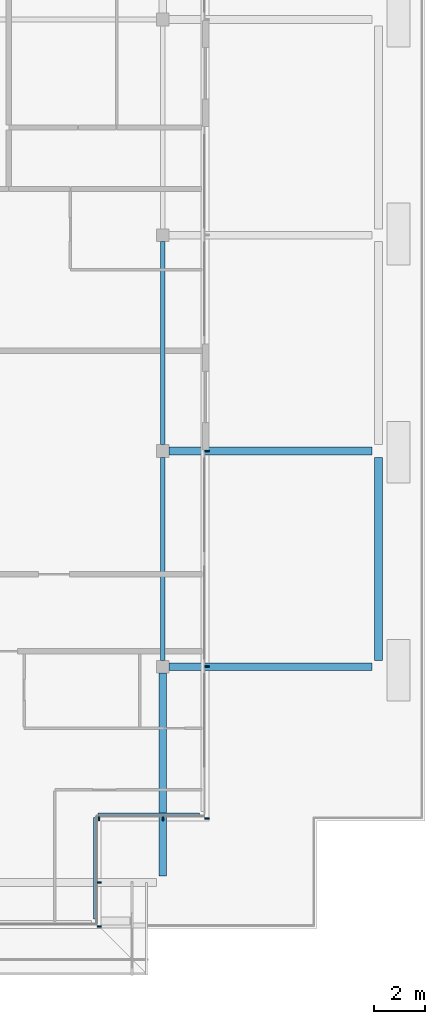
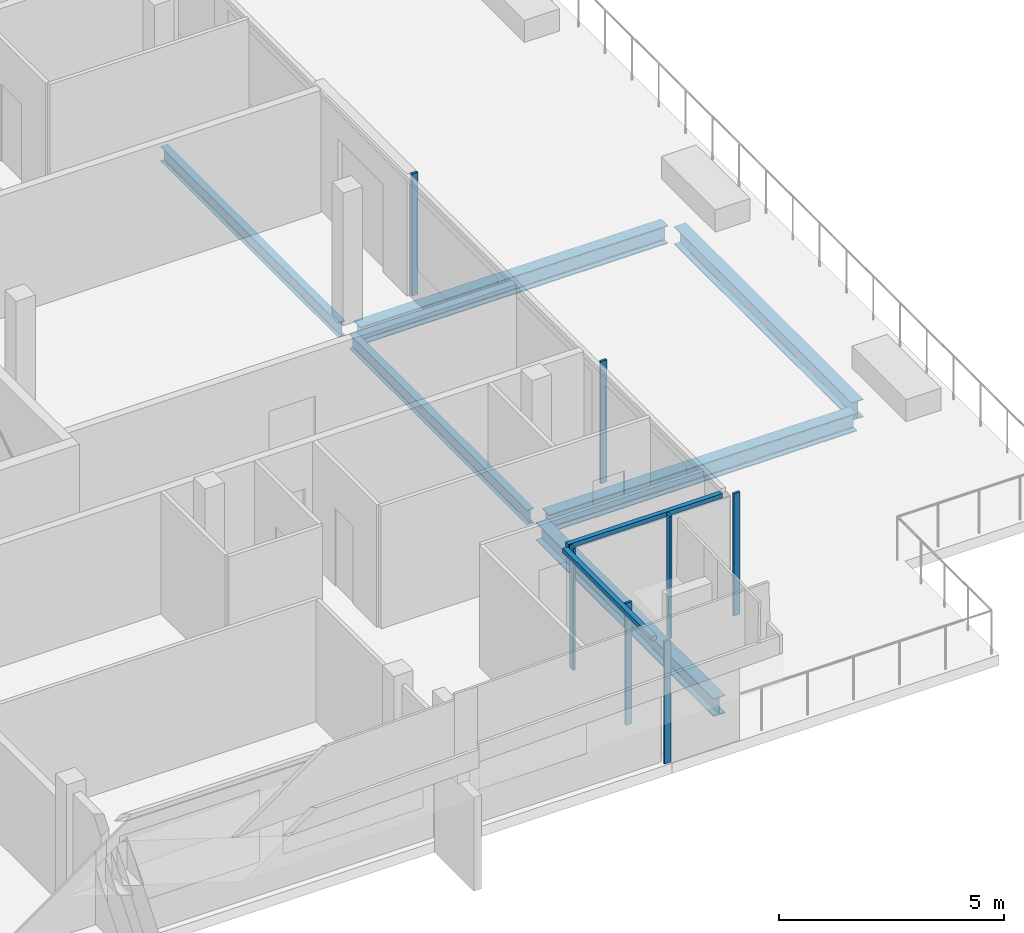
# One storey, part 12 of 29: 9 members, 6 beams, 3 elements without a shape of their own.
"""IFC4 building model written with IfcOpenShell, lengths in metres."""

import ifcopenshell
import ifcopenshell.guid

model = None  # the IFC model being written
_history = None  # IfcOwnerHistory: only IFC2X3 demands one
_inside = {}  # id of a spatial element -> (the spatial element, [elements in it])
_under = {}  # id of a project, library or spatial element -> (it, [spatial elements below it])
_declared = {}  # id of a project -> (the project, [libraries it declares])
_typed = {}  # id of a type object -> (the type object, [elements of that type])
_made_of = {}  # id of a material, layer set ... -> (it, [elements and type objects made of it])


def new_model(schema):
    """Start an empty IFC model of exactly this schema.

    Asked for "IFC4X3", IfcOpenShell would pick the latest addendum, in which some entities
    have other attributes; the version numbers below select the first issue.
    IFC2X3 requires an IfcOwnerHistory on every rooted entity: one is made here for all.
    """
    global model, _history
    if schema == "IFC4X3":
        model = ifcopenshell.file(schema_version=(4, 3, 0, 0))
    else:
        model = ifcopenshell.file(schema=schema)
    _inside.clear()
    _under.clear()
    _declared.clear()
    _typed.clear()
    _made_of.clear()
    _history = None
    if model.schema == "IFC2X3":
        org = make("IfcOrganization", Name="unknown")
        user = make(
            "IfcPersonAndOrganization",
            ThePerson=make("IfcPerson", FamilyName="unknown"),
            TheOrganization=org,
        )
        app = make(
            "IfcApplication",
            ApplicationDeveloper=org,
            Version="unknown",
            ApplicationFullName="unknown",
            ApplicationIdentifier="unknown",
        )
        _history = make(
            "IfcOwnerHistory",
            OwningUser=user,
            OwningApplication=app,
            ChangeAction="ADDED",
            CreationDate=0,
        )
    return model


def make(cls, **values):
    """One entity of the class cls with the attributes given. An attribute that is None is left unset."""
    return model.create_entity(
        cls, **{name: value for name, value in values.items() if value is not None}
    )


def rooted(cls, **values):
    """An entity with a GlobalId (a new one), such as an element, a storey or a relation."""
    return make(cls, GlobalId=ifcopenshell.guid.new(), OwnerHistory=_history, **values)


def si_unit(unit_type, name, prefix=None):
    """IfcSIUnit, for example si_unit("LENGTHUNIT", "METRE", prefix="MILLI")."""
    return make("IfcSIUnit", UnitType=unit_type, Prefix=prefix, Name=name)


def assignment(units):
    """IfcUnitAssignment: the units of a project."""
    return None if units is None else make("IfcUnitAssignment", Units=units)


def point(xyz):
    """IfcCartesianPoint."""
    return None if xyz is None else make("IfcCartesianPoint", Coordinates=xyz)


def direction(xyz):
    """IfcDirection."""
    return None if xyz is None else make("IfcDirection", DirectionRatios=xyz)


def frame(location, z_axis=None, x_axis=None):
    """IfcAxis2Placement3D, a coordinate frame: its origin and axes. An axis left out is left unset."""
    return make(
        "IfcAxis2Placement3D",
        Location=point(location),
        Axis=direction(z_axis),
        RefDirection=direction(x_axis),
    )


def frame_2d(location, x_axis=None):
    """IfcAxis2Placement2D, a coordinate frame in the plane: its origin and x axis."""
    return make(
        "IfcAxis2Placement2D", Location=point(location), RefDirection=direction(x_axis)
    )


def origin():
    """The frame at (0, 0, 0) with its axes left unset."""
    return frame((0.0, 0.0, 0.0))


def origin_2d():
    """The frame at (0, 0) in the plane with its x axis left unset."""
    return frame_2d((0.0, 0.0))


def place(relative_to, where):
    """IfcLocalPlacement: puts the frame where relative to a parent placement (None: the world)."""
    return make(
        "IfcLocalPlacement", PlacementRelTo=relative_to, RelativePlacement=where
    )


def context(
    kind, dimensions, precision=None, world=None, true_north=None, identifier=None
):
    """IfcGeometricRepresentationContext, for example the 3D "Model" context."""
    return make(
        "IfcGeometricRepresentationContext",
        ContextIdentifier=identifier,
        ContextType=kind,
        CoordinateSpaceDimension=dimensions,
        Precision=precision,
        WorldCoordinateSystem=world,
        TrueNorth=true_north,
    )


def subcontext(parent, identifier, kind, view, scale=None):
    """IfcGeometricRepresentationSubContext, for example "Body" below "Model"."""
    return make(
        "IfcGeometricRepresentationSubContext",
        ContextIdentifier=identifier,
        ContextType=kind,
        ParentContext=parent,
        TargetScale=scale,
        TargetView=view,
    )


def project(units=None, contexts=None):
    """IfcProject with its units and contexts."""
    return rooted(
        "IfcProject",
        Name="project",
        RepresentationContexts=contexts,
        UnitsInContext=assignment(units),
    )


def spatial(cls, under=None, at=None, **own):
    """A site, building, storey or space (cls), placed at a placement, below another one or the project."""
    s = rooted(cls, ObjectPlacement=at, **own)
    if under is not None:
        _under.setdefault(under.id(), (under, []))[1].append(s)
    return s


def profile(cls, at=None, kind="AREA", **sizes):
    """A parametric profile (cls). Its sizes go by their IFC names, for example OverallWidth=200.0."""
    return make(cls, ProfileType=kind, Position=at, **sizes)


def rectangle(**sizes):
    """IfcRectangleProfileDef."""
    return profile("IfcRectangleProfileDef", **sizes)


def i_section(**sizes):
    """IfcIShapeProfileDef."""
    return profile("IfcIShapeProfileDef", **sizes)


def extrude(swept, where, along, depth):
    """IfcExtrudedAreaSolid: the profile swept, set in the frame where, extruded along a direction by depth."""
    return make(
        "IfcExtrudedAreaSolid",
        SweptArea=swept,
        Position=where,
        ExtrudedDirection=direction(along),
        Depth=depth,
    )


def shape(context_of_items, identifier, shape_type, items):
    """IfcShapeRepresentation: the items that make up one representation, for example the "Body"."""
    return make(
        "IfcShapeRepresentation",
        ContextOfItems=context_of_items,
        RepresentationIdentifier=identifier,
        RepresentationType=shape_type,
        Items=items,
    )


def material(Name=None, Category=None):
    """IfcMaterial."""
    return make("IfcMaterial", Name=Name, Category=Category)


def material_profile(
    of_material, cross_section, Name=None, Category=None, Priority=None
):
    """IfcMaterialProfile: a cross section and its material."""
    return make(
        "IfcMaterialProfile",
        Name=Name,
        Material=of_material,
        Profile=cross_section,
        Priority=Priority,
        Category=Category,
    )


def profile_set(profiles, Name=None, composite=None):
    """IfcMaterialProfileSet."""
    return make(
        "IfcMaterialProfileSet",
        Name=Name,
        MaterialProfiles=profiles,
        CompositeProfile=composite,
    )


def made_of(thing, what):
    """Note that an element or type object is made of a material, layer set ...; save() writes the relation."""
    if what is not None:
        _made_of.setdefault(what.id(), (what, []))[1].append(thing)
    return thing


def type_object(cls, material=None, **own):
    """A type object (cls), such as IfcWallType, which elements share."""
    return made_of(rooted(cls, **own), material)


def element(
    cls,
    number,
    at=None,
    inside=None,
    cuts=None,
    type_object=None,
    material=None,
    context=None,
    identifier="Body",
    shape_type=None,
    held_by="IfcProductDefinitionShape",
    body=None,
    shapes=None,
    **own,
):
    """One element of the class cls, such as IfcWall. Its Tag is "e" and its number.

    at: its placement. inside: the storey or other place that contains it. cuts: it is an
    opening in that element (IfcRelVoidsElement). A single representation is given by context,
    identifier, shape_type and body (its items); several are given by shapes. held_by: the class
    of the entity that holds the representations. save() writes the other relations.
    """
    e = rooted(cls, Tag="e%d" % number, ObjectPlacement=at, **own)
    if body is not None:
        shapes = [shape(context, identifier, shape_type, body)]
    if shapes is not None:
        e.Representation = make(held_by, Representations=shapes)
    if inside is not None:
        _inside.setdefault(inside.id(), (inside, []))[1].append(e)
    if cuts is not None:
        rooted(
            "IfcRelVoidsElement", RelatingBuildingElement=cuts, RelatedOpeningElement=e
        )
    if type_object is not None:
        _typed.setdefault(type_object.id(), (type_object, []))[1].append(e)
    return made_of(e, material)


def aggregate(whole, parts):
    """IfcRelAggregates: a whole, such as a stair, and the parts it consists of."""
    return rooted("IfcRelAggregates", RelatingObject=whole, RelatedObjects=parts)


def save(model, path):
    """Write the relations noted so far, then the file.

    IfcRelAggregates (storeys below a building ...), IfcRelContainedInSpatialStructure (elements
    in a storey), IfcRelDefinesByType, IfcRelAssociatesMaterial and IfcRelDeclares: one each for
    every whole, place, type object, material and project.
    """
    for whole, parts in _under.values():
        aggregate(whole, parts)
    for where, things in _inside.values():
        rooted(
            "IfcRelContainedInSpatialStructure",
            RelatedElements=things,
            RelatingStructure=where,
        )
    for kind, things in _typed.values():
        rooted("IfcRelDefinesByType", RelatedObjects=things, RelatingType=kind)
    for what, things in _made_of.values():
        rooted("IfcRelAssociatesMaterial", RelatedObjects=things, RelatingMaterial=what)
    for by, libraries in _declared.values():
        rooted("IfcRelDeclares", RelatingContext=by, RelatedDefinitions=libraries)
    model.write(path)


model = new_model("IFC4")

# Units and contexts
model_context = context("Model", 3, precision=1e-05, world=origin(), true_north=direction((0.0, 1.0)))
body_context = subcontext(model_context, "Body", "Model", "MODEL_VIEW")
ifc_project = project(units=[si_unit("LENGTHUNIT", "METRE"), si_unit("AREAUNIT", "SQUARE_METRE"), si_unit("VOLUMEUNIT", "CUBIC_METRE"), si_unit("PLANEANGLEUNIT", "RADIAN"), si_unit("MASSUNIT", "GRAM", prefix="KILO")], contexts=[model_context])

# Site, building, storey
site_placement = place(None, origin())
site = spatial("IfcSite", under=ifc_project, at=site_placement, CompositionType="ELEMENT")
building_placement = place(site_placement, origin())
building = spatial("IfcBuilding", under=site, at=building_placement, Name="Saffron Gate Tower", CompositionType="ELEMENT")
storey_placement = place(building_placement, frame((0.0, 0.0, 270.75)))
storey = spatial("IfcBuildingStorey", under=building, at=storey_placement, Name="L65", CompositionType="ELEMENT", Elevation=270.75)

# Beams
ifc_material_1 = material(Name="Structural steel S355", Category="steel")
ifc_material_profile_1 = material_profile(ifc_material_1, i_section(OverallWidth=0.179931640625, OverallDepth=0.39990234375, WebThickness=0.008544921875, FlangeThickness=0.013427734375, FilletRadius=0.02099609375, at=origin_2d()))
ifc_profile_set_1 = profile_set([ifc_material_profile_1], Name="Structural steel S355")
beam_type_1 = type_object("IfcBeamType", Name="B5 IPE 400", PredefinedType="SPANDREL", material=ifc_profile_set_1)
beam_1_placement = place(storey_placement, frame((117.0, 40.449951171875, -0.47998046875), z_axis=(0.0, 1.0, 0.0), x_axis=(-1.0, 0.0, 0.0)))
element("IfcBeam", 1, at=beam_1_placement, inside=storey, type_object=beam_type_1, Name="B5 SPANDREL BEAM", PredefinedType="SPANDREL", context=body_context, shape_type="SweptSolid", body=[
    extrude(i_section(OverallWidth=0.179931640625, OverallDepth=0.39990234375, WebThickness=0.008544921875, FlangeThickness=0.013427734375, FilletRadius=0.02099609375, at=origin_2d()), origin(), (0.0, 0.0, 1.0), 7.900146484375),
])
beam_2_placement = place(storey_placement, frame((117.0, 48.85009765625, -0.47998046875), z_axis=(0.0, 1.0, 0.0), x_axis=(-1.0, 0.0, 0.0)))
element("IfcBeam", 2, at=beam_2_placement, inside=storey, type_object=beam_type_1, Name="B5 SPANDREL BEAM", PredefinedType="SPANDREL", context=body_context, shape_type="SweptSolid", body=[
    extrude(i_section(OverallWidth=0.179931640625, OverallDepth=0.39990234375, WebThickness=0.008544921875, FlangeThickness=0.013427734375, FilletRadius=0.02099609375, at=origin_2d()), origin(), (0.0, 0.0, 1.0), 7.89990234375),
])
ifc_material_profile_2 = material_profile(ifc_material_1, i_section(OverallWidth=0.300048828125, OverallDepth=0.489990234375, WebThickness=0.011962890625, FlangeThickness=0.02294921875, FilletRadius=0.027099609375, at=origin_2d()))
ifc_profile_set_2 = profile_set([ifc_material_profile_2], Name="Structural steel S355")
beam_type_2 = type_object("IfcBeamType", Name="B8 HEA 500", PredefinedType="BEAM", material=ifc_profile_set_2)
for number, where, z_axis, x_axis, name in (
    (3, (117.0, 32.050048828125, -0.52490234375), (0.0, 1.0, 0.0), (-1.0, 0.0, 0.0), "B8 TERRACE BEAM"),
    (4, (117.25, 40.199951171875, -0.52490234375), (1.0, 0.0, 0.0), (0.0, 1.0, 0.0), "B8 TERRACE BEAM"),
    (5, (117.25, 48.60009765625, -0.52490234375), (1.0, 0.0, 0.0), (0.0, 1.0, 0.0), "B8 TERRACE BEAM"),
):
    element("IfcBeam", number, at=place(storey_placement, frame(where, z_axis=z_axis, x_axis=x_axis)), inside=storey, type_object=beam_type_2, Name=name, PredefinedType="BEAM", context=body_context, shape_type="SweptSolid", body=[
        extrude(i_section(OverallWidth=0.300048828125, OverallDepth=0.489990234375, WebThickness=0.011962890625, FlangeThickness=0.02294921875, FilletRadius=0.027099609375, at=origin_2d()), origin(), (0.0, 0.0, 1.0), 7.89990234375),
    ])
beam_3_placement = place(storey_placement, frame((125.39990234375, 40.449951171875, -0.52490234375), z_axis=(0.0, 1.0, 0.0), x_axis=(-1.0, 0.0, 0.0)))
element("IfcBeam", 6, at=beam_3_placement, inside=storey, type_object=beam_type_2, Name="B8 TERRACE BEAM", PredefinedType="BEAM", context=body_context, shape_type="SweptSolid", body=[
    extrude(i_section(OverallWidth=0.300048828125, OverallDepth=0.489990234375, WebThickness=0.011962890625, FlangeThickness=0.02294921875, FilletRadius=0.027099609375, at=origin_2d()), origin(), (0.0, 0.0, 1.0), 7.900146484375),
])

# Curtain wall, members
ifc_material_2 = material(Name="Aluminium, bronze anodised", Category="aluminium")
curtain_wall_type_1 = type_object("IfcCurtainWallType", Name="CWS2 curtain wall side facades", PredefinedType="NOTDEFINED", material=ifc_material_2)
curtain_wall_1_placement = place(storey_placement, origin())
curtain_wall_1 = element("IfcCurtainWall", 7, at=curtain_wall_1_placement, inside=storey, type_object=curtain_wall_type_1, Name="CWS2 run 4", PredefinedType="NOTDEFINED")
ifc_material_profile_3 = material_profile(ifc_material_2, rectangle(XDim=0.159912109375, YDim=0.06005859375, at=origin_2d()))
ifc_profile_set_3 = profile_set([ifc_material_profile_3], Name="Aluminium, bronze anodised")
member_type_1 = type_object("IfcMemberType", Name="CWS2 mullion 60x160", PredefinedType="MULLION", material=ifc_profile_set_3)
member_1_placement = place(storey_placement, frame((118.719970703125, 34.280029296875, 0.0), z_axis=(0.0, 0.0, 1.0), x_axis=(-1.0, 0.0, 0.0)))
member_1 = element("IfcMember", 8, at=member_1_placement, type_object=member_type_1, Name="CWS2 mullion 1", PredefinedType="MULLION", context=body_context, shape_type="SweptSolid", body=[
    extrude(rectangle(XDim=0.159912109375, YDim=0.06005859375, at=origin_2d()), origin(), (0.0, 0.0, 1.0), 3.320068359375),
])
member_2_placement = place(storey_placement, frame((118.719970703125, 40.199951171875, 0.0), z_axis=(0.0, 0.0, 1.0), x_axis=(-1.0, 0.0, 0.0)))
member_2 = element("IfcMember", 9, at=member_2_placement, type_object=member_type_1, Name="CWS2 mullion 2", PredefinedType="MULLION", context=body_context, shape_type="SweptSolid", body=[
    extrude(rectangle(XDim=0.159912109375, YDim=0.06005859375, at=origin_2d()), origin(), (0.0, 0.0, 1.0), 3.320068359375),
])
member_3_placement = place(storey_placement, frame((118.719970703125, 48.60009765625, 0.0), z_axis=(0.0, 0.0, 1.0), x_axis=(-1.0, 0.0, 0.0)))
member_3 = element("IfcMember", 10, at=member_3_placement, type_object=member_type_1, Name="CWS2 mullion 3", PredefinedType="MULLION", context=body_context, shape_type="SweptSolid", body=[
    extrude(rectangle(XDim=0.159912109375, YDim=0.06005859375, at=origin_2d()), origin(), (0.0, 0.0, 1.0), 3.320068359375),
])
aggregate(curtain_wall_1, [member_1, member_2, member_3])

# Curtain wall, member
curtain_wall_type_2 = type_object("IfcCurtainWallType", Name="CWS4 curtain wall corner returns", PredefinedType="NOTDEFINED", material=ifc_material_2)
curtain_wall_2_placement = place(storey_placement, origin())
curtain_wall_2 = element("IfcCurtainWall", 11, at=curtain_wall_2_placement, inside=storey, type_object=curtain_wall_type_2, Name="CWS4 run 2", PredefinedType="NOTDEFINED")
ifc_material_profile_4 = material_profile(ifc_material_2, rectangle(XDim=0.1201171875, YDim=0.1201171875, at=origin_2d()))
ifc_profile_set_4 = profile_set([ifc_material_profile_4], Name="Aluminium, bronze anodised")
member_type_2 = type_object("IfcMemberType", Name="CWS4 head transom", PredefinedType="USERDEFINED", material=ifc_profile_set_4)
member_4_placement = place(storey_placement, frame((114.35205078125, 30.367919921875, 3.260009765625), z_axis=(0.0, 1.0, 0.0), x_axis=(-1.0, 0.0, 0.0)))
member_4 = element("IfcMember", 12, at=member_4_placement, type_object=member_type_2, Name="CWS4 head transom", ObjectType="TRANSOM", PredefinedType="USERDEFINED", context=body_context, shape_type="SweptSolid", body=[
    extrude(rectangle(XDim=0.1201171875, YDim=0.1201171875, at=origin_2d()), origin(), (0.0, 0.0, 1.0), 3.9599609375),
])

curtain_wall_3_placement = place(storey_placement, origin())
curtain_wall_3 = element("IfcCurtainWall", 13, at=curtain_wall_3_placement, inside=storey, type_object=curtain_wall_type_2, Name="CWS4 run 3", PredefinedType="NOTDEFINED")
member_5_placement = place(storey_placement, frame((114.471923828125, 34.447998046875, 3.260009765625), z_axis=(1.0, 0.0, 0.0), x_axis=(0.0, 1.0, 0.0)))
member_5 = element("IfcMember", 14, at=member_5_placement, type_object=member_type_2, Name="CWS4 head transom", ObjectType="TRANSOM", PredefinedType="USERDEFINED", context=body_context, shape_type="SweptSolid", body=[
    extrude(rectangle(XDim=0.1201171875, YDim=0.1201171875, at=origin_2d()), origin(), (0.0, 0.0, 1.0), 3.9599609375),
])

# Member
ifc_material_profile_5 = material_profile(ifc_material_2, rectangle(XDim=0.159912109375, YDim=0.06005859375, at=origin_2d()))
ifc_profile_set_5 = profile_set([ifc_material_profile_5], Name="Aluminium, bronze anodised")
member_type_3 = type_object("IfcMemberType", Name="CWS4 mullion 60x160", PredefinedType="MULLION", material=ifc_profile_set_5)
member_6_placement = place(storey_placement, frame((114.52001953125, 30.080078125, 0.0), z_axis=(0.0, 0.0, 1.0), x_axis=(-1.0, 0.0, 0.0)))
member_6 = element("IfcMember", 15, at=member_6_placement, type_object=member_type_3, Name="CWS4 mullion 1", PredefinedType="MULLION", context=body_context, shape_type="SweptSolid", body=[
    extrude(rectangle(XDim=0.159912109375, YDim=0.06005859375, at=origin_2d()), origin(), (0.0, 0.0, 1.0), 3.320068359375),
])

member_7_placement = place(storey_placement, frame((114.52001953125, 31.800048828125, 0.0), z_axis=(0.0, 0.0, 1.0), x_axis=(-1.0, 0.0, 0.0)))
member_7 = element("IfcMember", 16, at=member_7_placement, type_object=member_type_3, Name="CWS4 mullion 2", PredefinedType="MULLION", context=body_context, shape_type="SweptSolid", body=[
    extrude(rectangle(XDim=0.159912109375, YDim=0.06005859375, at=origin_2d()), origin(), (0.0, 0.0, 1.0), 3.320068359375),
])

aggregate(curtain_wall_2, [member_6, member_7, member_4])

member_8_placement = place(storey_placement, frame((114.52001953125, 34.280029296875, 0.0), z_axis=(0.0, 0.0, 1.0), x_axis=(0.0, 1.0, 0.0)))
member_8 = element("IfcMember", 17, at=member_8_placement, type_object=member_type_3, Name="CWS4 mullion 1", PredefinedType="MULLION", context=body_context, shape_type="SweptSolid", body=[
    extrude(rectangle(XDim=0.159912109375, YDim=0.06005859375, at=origin_2d()), origin(), (0.0, 0.0, 1.0), 3.320068359375),
])

member_9_placement = place(storey_placement, frame((117.0, 34.280029296875, 0.0), z_axis=(0.0, 0.0, 1.0), x_axis=(0.0, 1.0, 0.0)))
member_9 = element("IfcMember", 18, at=member_9_placement, type_object=member_type_3, Name="CWS4 mullion 2", PredefinedType="MULLION", context=body_context, shape_type="SweptSolid", body=[
    extrude(rectangle(XDim=0.159912109375, YDim=0.06005859375, at=origin_2d()), origin(), (0.0, 0.0, 1.0), 3.320068359375),
])

aggregate(curtain_wall_3, [member_8, member_9, member_5])

save(model, "model.ifc")
